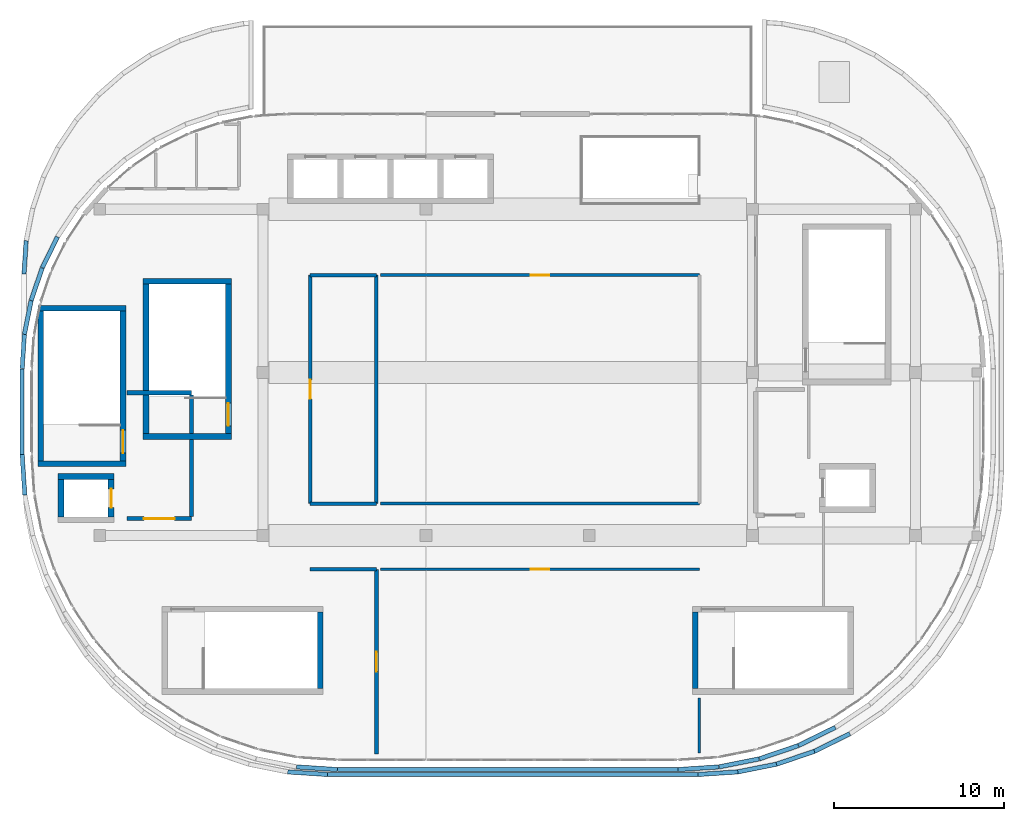
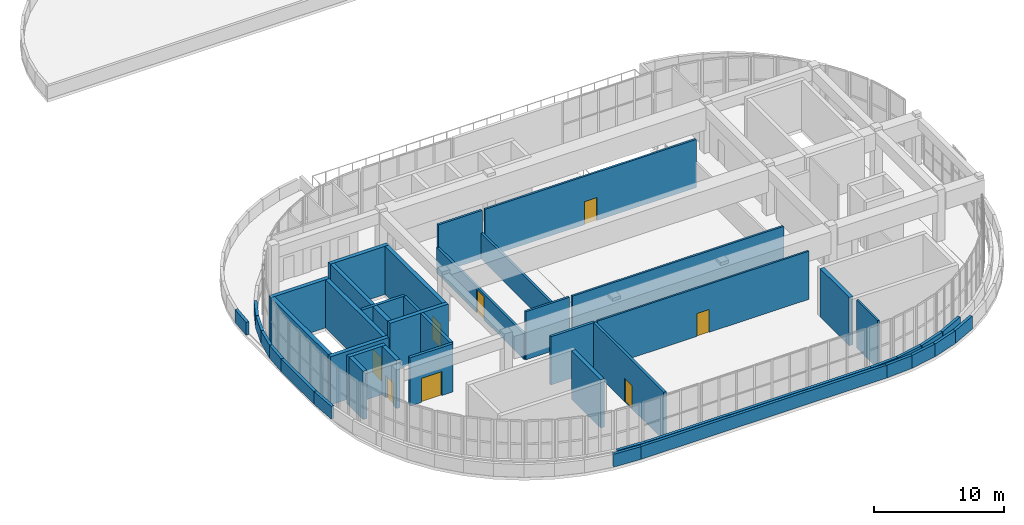
# One storey, part 17 of 23: 45 walls, 8 doors, 8 openings.
"""IFC4 building model written with IfcOpenShell, lengths in metres."""

from ifc_helpers import new_model, si_unit, direction, frame, frame_2d, origin, place, context, subcontext, project, spatial, rectangle, extrude, material, layer, layer_set, type_object, element, fill, save


model = new_model("IFC4")

# Units and contexts
model_context = context("Model", 3, precision=1e-05, world=origin(), true_north=direction((0.0, 1.0)))
body_context = subcontext(model_context, "Body", "Model", "MODEL_VIEW")
ifc_project = project(units=[si_unit("LENGTHUNIT", "METRE"), si_unit("AREAUNIT", "SQUARE_METRE"), si_unit("VOLUMEUNIT", "CUBIC_METRE"), si_unit("PLANEANGLEUNIT", "RADIAN"), si_unit("MASSUNIT", "GRAM", prefix="KILO")], contexts=[model_context])

# Site, building, storey
site_placement = place(None, origin())
site = spatial("IfcSite", under=ifc_project, at=site_placement, CompositionType="ELEMENT")
building_placement = place(site_placement, origin())
building = spatial("IfcBuilding", under=site, at=building_placement, Name="Cendralis Terraced Arcade", CompositionType="ELEMENT")
storey_placement = place(building_placement, frame((0.0, 0.0, 29.39990234375)))
storey = spatial("IfcBuildingStorey", under=building, at=storey_placement, Name="L06", CompositionType="ELEMENT", Elevation=29.39990234375)

# Walls
ifc_material_1 = material(Name="Gypsum plasterboard acoustic partition", Category="concrete")
ifc_layer_1 = layer(ifc_material_1, 0.195068359375, Name="WL-ACOU-195")
ifc_layer_set_1 = layer_set([ifc_layer_1], Name="Gypsum plasterboard acoustic partition")
wall_type_1 = type_object("IfcWallType", Name="WL-ACOU-195", PredefinedType="PARTITIONING", material=ifc_layer_set_1)
wall_1_placement = place(storey_placement, frame((21.97998046875, 34.52001953125, 0.0), z_axis=(0.0, 0.0, 1.0), x_axis=(1.0, 0.0, 0.0)))
element("IfcWall", 1, at=wall_1_placement, inside=storey, type_object=wall_type_1, Name="Interior Partition Wall IW-L06-0629", PredefinedType="PARTITIONING", context=body_context, shape_type="SweptSolid", body=[
    extrude(rectangle(XDim=3.89990234375, YDim=0.195068359375, at=frame_2d((1.949951171875, 0.0))), origin(), (0.0, 0.0, 1.0), 4.525146484375),
])
ifc_layer_2 = layer(ifc_material_1, 0.199951171875, Name="WL-ACOU-200")
ifc_layer_set_2 = layer_set([ifc_layer_2], Name="Gypsum plasterboard acoustic partition")
wall_type_2 = type_object("IfcWallType", Name="WL-ACOU-200", PredefinedType="PARTITIONING", material=ifc_layer_set_2)
wall_2_placement = place(storey_placement, frame((25.8798828125, 34.52001953125, 0.0), z_axis=(0.0, 0.0, 1.0), x_axis=(0.0, -1.0, 0.0)))
element("IfcWall", 2, at=wall_2_placement, inside=storey, type_object=wall_type_2, Name="Interior Partition Wall IW-L06-0628", PredefinedType="PARTITIONING", context=body_context, shape_type="SweptSolid", body=[
    extrude(rectangle(XDim=13.43994140625, YDim=0.199951171875, at=frame_2d((6.719970703125, 0.0))), origin(), (0.0, 0.0, 1.0), 2.4150390625),
])

# Wall, opening, door
ifc_layer_3 = layer(ifc_material_1, 0.205078125, Name="WL-ACOU-205")
ifc_layer_set_3 = layer_set([ifc_layer_3], Name="Gypsum plasterboard acoustic partition")
wall_type_3 = type_object("IfcWallType", Name="WL-ACOU-205", PredefinedType="PARTITIONING", material=ifc_layer_set_3)
wall_3_placement = place(storey_placement, frame((21.97998046875, 21.080078125, 0.0), z_axis=(0.0, 0.0, 1.0), x_axis=(0.0, 1.0, 0.0)))
wall_3 = element("IfcWall", 3, at=wall_3_placement, inside=storey, type_object=wall_type_3, Name="Interior Partition Wall IW-L06-0627", PredefinedType="PARTITIONING", context=body_context, shape_type="SweptSolid", body=[
    extrude(rectangle(XDim=13.43994140625, YDim=0.205078125, at=frame_2d((6.719970703125, 0.0))), origin(), (0.0, 0.0, 1.0), 2.4150390625),
])
opening_1_placement = place(wall_3_placement, frame((6.159912109375, 0.0, 0.0)))
opening_1 = element("IfcOpeningElement", 4, at=opening_1_placement, cuts=wall_3, Name="Opening D-L06-171", PredefinedType="OPENING", context=body_context, shape_type="SweptSolid", body=[
    extrude(rectangle(XDim=1.1201171875, YDim=2.179931640625, at=frame_2d((0.56005859375, 1.08984375))), frame((0.0, 0.114501953125, 0.0), z_axis=(0.0, -1.0, 0.0), x_axis=(1.0, 0.0, 0.0)), (0.0, 0.0, 1.0), 0.22900390625),
])
ifc_material_2 = material(Name="Solid core Andean oak veneer door leaf", Category="aluminium")
door_type_1 = type_object("IfcDoorType", Name="ID-RM-1120x2180", OperationType="NOTDEFINED", PredefinedType="DOOR", material=ifc_material_2)
door_1_placement = place(opening_1_placement, origin())
door_1 = element("IfcDoor", 5, at=door_1_placement, inside=storey, type_object=door_type_1, Name="Bridging Crown Panoramic Restaurant Door D-L06-171", OperationType="SINGLE_SWING_RIGHT", OverallHeight=2.179931640625, OverallWidth=1.1201171875, PredefinedType="DOOR", context=body_context, shape_type="SweptSolid", body=[
    extrude(rectangle(XDim=1.1201171875, YDim=2.179931640625, at=frame_2d((0.56005859375, 1.08984375))), frame((0.0, 0.02490234375, 0.0), z_axis=(0.0, -1.0, 0.0), x_axis=(1.0, 0.0, 0.0)), (0.0, 0.0, 1.0), 0.050048828125),
])
fill(opening_1, door_1)

# Wall
ifc_material_3 = material(Name="Autoclaved aerated concrete blockwork", Category="masonry")
ifc_layer_4 = layer(ifc_material_3, 0.221923828125, Name="WL-ACOU-222")
ifc_layer_set_4 = layer_set([ifc_layer_4], Name="Autoclaved aerated concrete blockwork")
wall_type_4 = type_object("IfcWallType", Name="WL-ACOU-222", PredefinedType="PARTITIONING", material=ifc_layer_set_4)
wall_4_placement = place(storey_placement, frame((21.97998046875, 17.219970703125, 0.0), z_axis=(0.0, 0.0, 1.0), x_axis=(1.0, 0.0, 0.0)))
element("IfcWall", 6, at=wall_4_placement, inside=storey, type_object=wall_type_4, Name="Interior Partition Wall IW-L06-0626", PredefinedType="PARTITIONING", context=body_context, shape_type="SweptSolid", body=[
    extrude(rectangle(XDim=3.89990234375, YDim=0.221923828125, at=frame_2d((1.949951171875, 0.0))), origin(), (0.0, 0.0, 1.0), 4.525146484375),
])

# Wall, opening, door
ifc_layer_5 = layer(ifc_material_3, 0.22802734375, Name="WL-ACOU-228")
ifc_layer_set_5 = layer_set([ifc_layer_5], Name="Autoclaved aerated concrete blockwork")
wall_type_5 = type_object("IfcWallType", Name="WL-ACOU-228", PredefinedType="PARTITIONING", material=ifc_layer_set_5)
wall_5_placement = place(storey_placement, frame((25.8798828125, 17.219970703125, 0.0), z_axis=(0.0, 0.0, 1.0), x_axis=(0.0, -1.0, 0.0)))
wall_5 = element("IfcWall", 7, at=wall_5_placement, inside=storey, type_object=wall_type_5, Name="Interior Partition Wall IW-L06-0625", PredefinedType="PARTITIONING", context=body_context, shape_type="SweptSolid", body=[
    extrude(rectangle(XDim=10.8798828125, YDim=0.22802734375, at=frame_2d((5.43994140625, 0.0))), origin(), (0.0, 0.0, 1.0), 4.525146484375),
])
opening_2_placement = place(wall_5_placement, frame((4.864990234375, 0.0, 0.0)))
opening_2 = element("IfcOpeningElement", 8, at=opening_2_placement, cuts=wall_5, Name="Opening D-L06-170", PredefinedType="OPENING", context=body_context, shape_type="SweptSolid", body=[
    extrude(rectangle(XDim=1.14990234375, YDim=2.199951171875, at=frame_2d((0.574951171875, 1.10009765625))), frame((0.0, 0.1259765625, 0.0), z_axis=(0.0, -1.0, 0.0), x_axis=(1.0, 0.0, 0.0)), (0.0, 0.0, 1.0), 0.251953125),
])
door_type_2 = type_object("IfcDoorType", Name="ID-RM-1150x2200", OperationType="NOTDEFINED", PredefinedType="DOOR", material=ifc_material_2)
door_2_placement = place(opening_2_placement, origin())
door_2 = element("IfcDoor", 9, at=door_2_placement, inside=storey, type_object=door_type_2, Name="Bridging Crown Panoramic Restaurant Door D-L06-170", OperationType="SINGLE_SWING_LEFT", OverallHeight=2.199951171875, OverallWidth=1.14990234375, PredefinedType="DOOR", context=body_context, shape_type="SweptSolid", body=[
    extrude(rectangle(XDim=1.14990234375, YDim=2.199951171875, at=frame_2d((0.574951171875, 1.10009765625))), frame((0.0, 0.02490234375, 0.0), z_axis=(0.0, -1.0, 0.0), x_axis=(1.0, 0.0, 0.0)), (0.0, 0.0, 1.0), 0.050048828125),
])
fill(opening_2, door_2)

# Walls
ifc_material_4 = material(Name="Concrete f'c 42 MPa", Category="concrete")
ifc_layer_6 = layer(ifc_material_4, 0.340087890625, Name="WL-CORE-340")
ifc_layer_set_6 = layer_set([ifc_layer_6], Name="Concrete f'c 42 MPa")
wall_type_6 = type_object("IfcWallType", Name="WL-CORE-340", PredefinedType="SHEAR", material=ifc_layer_set_6)
for number, where, z_axis, x_axis, name in (
    (10, (5.9599609375, 23.429931640625, 0.0), (0.0, 0.0, 1.0), (1.0, 0.0, 0.0), "Stair Core Reinforced Concrete Shear Wall SW-ST-01-L06-S"),
    (11, (5.9599609375, 32.570068359375, 0.0), (0.0, 0.0, 1.0), (1.0, 0.0, 0.0), "Stair Core Reinforced Concrete Shear Wall SW-ST-01-L06-N"),
):
    element("IfcWall", number, at=place(storey_placement, frame(where, z_axis=z_axis, x_axis=x_axis)), inside=storey, type_object=wall_type_6, Name=name, PredefinedType="SHEAR", context=body_context, shape_type="SweptSolid", body=[
        extrude(rectangle(XDim=5.179931640625, YDim=0.340087890625, at=frame_2d((2.58984375, 0.0))), origin(), (0.0, 0.0, 1.0), 4.525146484375),
    ])

# Wall, opening, door
wall_6_placement = place(storey_placement, frame((10.969970703125, 23.60009765625, 0.0), z_axis=(0.0, 0.0, 1.0), x_axis=(0.0, 1.0, 0.0)))
wall_6 = element("IfcWall", 12, at=wall_6_placement, inside=storey, type_object=wall_type_6, Name="Stair Core Reinforced Concrete Shear Wall SW-ST-01-L06-E", PredefinedType="SHEAR", context=body_context, shape_type="SweptSolid", body=[
    extrude(rectangle(XDim=8.7998046875, YDim=0.340087890625, at=frame_2d((4.39990234375, 0.0))), origin(), (0.0, 0.0, 1.0), 4.525146484375),
])
opening_3_placement = place(wall_6_placement, frame((0.449951171875, 0.0, 0.0)))
opening_3 = element("IfcOpeningElement", 13, at=opening_3_placement, cuts=wall_6, Name="Opening D-ST-01-L06", PredefinedType="OPENING", context=body_context, shape_type="SweptSolid", body=[
    extrude(rectangle(XDim=1.35009765625, YDim=2.199951171875, at=frame_2d((0.675048828125, 1.10009765625))), frame((0.0, 0.18212890625, 0.0), z_axis=(0.0, -1.0, 0.0), x_axis=(1.0, 0.0, 0.0)), (0.0, 0.0, 1.0), 0.364013671875),
])
ifc_material_5 = material(Name="Galvanised fire-rated steel door assembly", Category="steel")
door_type_3 = type_object("IfcDoorType", Name="ID-ST-1350x2200", OperationType="NOTDEFINED", PredefinedType="DOOR", material=ifc_material_5)
door_3_placement = place(opening_3_placement, origin())
door_3 = element("IfcDoor", 14, at=door_3_placement, inside=storey, type_object=door_type_3, Name="Protected Stair ST-01 Fire Door (L06)", OperationType="SINGLE_SWING_RIGHT", OverallHeight=2.199951171875, OverallWidth=1.35009765625, PredefinedType="DOOR", context=body_context, shape_type="SweptSolid", body=[
    extrude(rectangle(XDim=1.35009765625, YDim=2.199951171875, at=frame_2d((0.675048828125, 1.10009765625))), frame((0.0, 0.02490234375, 0.0), z_axis=(0.0, -1.0, 0.0), x_axis=(1.0, 0.0, 0.0)), (0.0, 0.0, 1.0), 0.050048828125),
])
fill(opening_3, door_3)

# Walls
wall_7_placement = place(storey_placement, frame((6.1298828125, 23.60009765625, 0.0), z_axis=(0.0, 0.0, 1.0), x_axis=(0.0, 1.0, 0.0)))
element("IfcWall", 15, at=wall_7_placement, inside=storey, type_object=wall_type_6, Name="Stair Core Reinforced Concrete Shear Wall SW-ST-01-L06-W", PredefinedType="SHEAR", context=body_context, shape_type="SweptSolid", body=[
    extrude(rectangle(XDim=8.7998046875, YDim=0.340087890625, at=frame_2d((4.39990234375, 0.0))), origin(), (0.0, 0.0, 1.0), 4.525146484375),
])
for number, where, z_axis, x_axis, name in (
    (16, (22.570068359375, 10.199951171875, 0.0), (0.0, 0.0, 1.0), (0.0, 1.0, 0.0), "Stair Core Reinforced Concrete Shear Wall SW-ST-02-L06-E"),
    (17, (44.6298828125, 10.199951171875, 0.0), (0.0, 0.0, 1.0), (0.0, 1.0, 0.0), "Stair Core Reinforced Concrete Shear Wall SW-ST-03-L06-W"),
):
    element("IfcWall", number, at=place(storey_placement, frame(where, z_axis=z_axis, x_axis=x_axis)), inside=storey, type_object=wall_type_6, Name=name, PredefinedType="SHEAR", context=body_context, shape_type="SweptSolid", body=[
        extrude(rectangle(XDim=4.5, YDim=0.340087890625, at=frame_2d((2.25, 0.0))), origin(), (0.0, 0.0, 1.0), 4.525146484375),
    ])
for number, where, z_axis, x_axis, name in (
    (18, (12.159912109375, 25.030029296875, 0.0), (0.0, 0.0, 1.0), (1.0, 0.0, 0.0), "Stair Core Reinforced Concrete Shear Wall SW-ST-05-L06-S"),
    (19, (12.159912109375, 34.169921875, 0.0), (0.0, 0.0, 1.0), (1.0, 0.0, 0.0), "Stair Core Reinforced Concrete Shear Wall SW-ST-05-L06-N"),
):
    element("IfcWall", number, at=place(storey_placement, frame(where, z_axis=z_axis, x_axis=x_axis)), inside=storey, type_object=wall_type_6, Name=name, PredefinedType="SHEAR", context=body_context, shape_type="SweptSolid", body=[
        extrude(rectangle(XDim=5.18017578125, YDim=0.340087890625, at=frame_2d((2.590087890625, 0.0))), origin(), (0.0, 0.0, 1.0), 4.525146484375),
    ])

# Wall, opening, door
wall_8_placement = place(storey_placement, frame((17.169921875, 25.199951171875, 0.0), z_axis=(0.0, 0.0, 1.0), x_axis=(0.0, 1.0, 0.0)))
wall_8 = element("IfcWall", 20, at=wall_8_placement, inside=storey, type_object=wall_type_6, Name="Stair Core Reinforced Concrete Shear Wall SW-ST-05-L06-E", PredefinedType="SHEAR", context=body_context, shape_type="SweptSolid", body=[
    extrude(rectangle(XDim=8.800048828125, YDim=0.340087890625, at=frame_2d((4.39990234375, 0.0))), origin(), (0.0, 0.0, 1.0), 4.525146484375),
])
opening_4_placement = place(wall_8_placement, frame((0.449951171875, 0.0, 0.0)))
opening_4 = element("IfcOpeningElement", 21, at=opening_4_placement, cuts=wall_8, Name="Opening D-ST-05-L06", PredefinedType="OPENING", context=body_context, shape_type="SweptSolid", body=[
    extrude(rectangle(XDim=1.35009765625, YDim=2.199951171875, at=frame_2d((0.675048828125, 1.10009765625))), frame((0.0, 0.18212890625, 0.0), z_axis=(0.0, -1.0, 0.0), x_axis=(1.0, 0.0, 0.0)), (0.0, 0.0, 1.0), 0.364013671875),
])
door_4_placement = place(opening_4_placement, origin())
door_4 = element("IfcDoor", 22, at=door_4_placement, inside=storey, type_object=door_type_3, Name="Protected Stair ST-05 Fire Door (L06)", OperationType="SINGLE_SWING_LEFT", OverallHeight=2.199951171875, OverallWidth=1.35009765625, PredefinedType="DOOR", context=body_context, shape_type="SweptSolid", body=[
    extrude(rectangle(XDim=1.35009765625, YDim=2.199951171875, at=frame_2d((0.675048828125, 1.10009765625))), frame((0.0, 0.02490234375, 0.0), z_axis=(0.0, -1.0, 0.0), x_axis=(1.0, 0.0, 0.0)), (0.0, 0.0, 1.0), 0.050048828125),
])
fill(opening_4, door_4)

# Walls
wall_9_placement = place(storey_placement, frame((12.330078125, 25.199951171875, 0.0), z_axis=(0.0, 0.0, 1.0), x_axis=(0.0, 1.0, 0.0)))
element("IfcWall", 23, at=wall_9_placement, inside=storey, type_object=wall_type_6, Name="Stair Core Reinforced Concrete Shear Wall SW-ST-05-L06-W", PredefinedType="SHEAR", context=body_context, shape_type="SweptSolid", body=[
    extrude(rectangle(XDim=8.800048828125, YDim=0.340087890625, at=frame_2d((4.39990234375, 0.0))), origin(), (0.0, 0.0, 1.0), 4.525146484375),
])
wall_10_placement = place(storey_placement, frame((7.159912109375, 22.669921875, 0.0), z_axis=(0.0, 0.0, 1.0), x_axis=(1.0, 0.0, 0.0)))
element("IfcWall", 24, at=wall_10_placement, inside=storey, type_object=wall_type_6, Name="Lift FFL-01 Reinforced Concrete Shaft Wall (L06)", PredefinedType="SHEAR", context=body_context, shape_type="SweptSolid", body=[
    extrude(rectangle(XDim=3.280029296875, YDim=0.340087890625, at=frame_2d((1.64013671875, 0.0))), origin(), (0.0, 0.0, 1.0), 4.525146484375),
])
wall_11_placement = place(storey_placement, frame((7.330078125, 20.300048828125, 0.0), z_axis=(0.0, 0.0, 1.0), x_axis=(0.0, 1.0, 0.0)))
element("IfcWall", 25, at=wall_11_placement, inside=storey, type_object=wall_type_6, Name="Lift FFL-01 Reinforced Concrete Shaft Wall (L06)", PredefinedType="SHEAR", context=body_context, shape_type="SweptSolid", body=[
    extrude(rectangle(XDim=2.199951171875, YDim=0.340087890625, at=frame_2d((1.10009765625, 0.0))), origin(), (0.0, 0.0, 1.0), 4.525146484375),
])

# Wall, opening, door
wall_12_placement = place(storey_placement, frame((10.27001953125, 20.300048828125, 0.0), z_axis=(0.0, 0.0, 1.0), x_axis=(0.0, 1.0, 0.0)))
wall_12 = element("IfcWall", 26, at=wall_12_placement, inside=storey, type_object=wall_type_6, Name="Lift FFL-01 Reinforced Concrete Shaft Wall (L06)", PredefinedType="SHEAR", context=body_context, shape_type="SweptSolid", body=[
    extrude(rectangle(XDim=2.199951171875, YDim=0.340087890625, at=frame_2d((1.10009765625, 0.0))), origin(), (0.0, 0.0, 1.0), 4.525146484375),
])
opening_5_placement = place(wall_12_placement, frame((0.550048828125, 0.0, 0.0)))
opening_5 = element("IfcOpeningElement", 27, at=opening_5_placement, cuts=wall_12, Name="Opening LD-FFL-01-L06", PredefinedType="OPENING", context=body_context, shape_type="SweptSolid", body=[
    extrude(rectangle(XDim=1.10009765625, YDim=2.14990234375, at=frame_2d((0.550048828125, 1.074951171875))), frame((0.0, 0.18212890625, 0.0), z_axis=(0.0, -1.0, 0.0), x_axis=(1.0, 0.0, 0.0)), (0.0, 0.0, 1.0), 0.364013671875),
])
ifc_material_6 = material(Name="Anodised aluminium sliding door assembly", Category="aluminium")
door_type_4 = type_object("IfcDoorType", Name="ID-LD-FF-1100x2150", OperationType="DOUBLE_DOOR_SLIDING", PredefinedType="DOOR", material=ifc_material_6)
door_5_placement = place(opening_5_placement, origin())
door_5 = element("IfcDoor", 28, at=door_5_placement, inside=storey, type_object=door_type_4, Name="Lift FFL-01 Sliding Landing Door (L06)", OperationType="DOUBLE_DOOR_SLIDING", OverallHeight=2.14990234375, OverallWidth=1.10009765625, PredefinedType="DOOR", context=body_context, shape_type="SweptSolid", body=[
    extrude(rectangle(XDim=1.10009765625, YDim=2.14990234375, at=frame_2d((0.550048828125, 1.074951171875))), frame((0.0, 0.02490234375, 0.0), z_axis=(0.0, -1.0, 0.0), x_axis=(1.0, 0.0, 0.0)), (0.0, 0.0, 1.0), 0.050048828125),
])
fill(opening_5, door_5)

ifc_layer_7 = layer(ifc_material_3, 0.25, Name="WL-FFL-250")
ifc_layer_set_7 = layer_set([ifc_layer_7], Name="Autoclaved aerated concrete blockwork")
wall_type_7 = type_object("IfcWallType", Name="WL-FFL-250", PredefinedType="PARTITIONING", material=ifc_layer_set_7)
wall_13_placement = place(storey_placement, frame((11.199951171875, 20.199951171875, 0.0), z_axis=(0.0, 0.0, 1.0), x_axis=(1.0, 0.0, 0.0)))
wall_13 = element("IfcWall", 29, at=wall_13_placement, inside=storey, type_object=wall_type_7, Name="Firefighting Lift Lobby FFL-01 Rated Wall S (L06)", PredefinedType="PARTITIONING", context=body_context, shape_type="SweptSolid", body=[
    extrude(rectangle(XDim=3.800048828125, YDim=0.25, at=frame_2d((1.89990234375, 0.0))), origin(), (0.0, 0.0, 1.0), 4.525146484375),
])
opening_6_placement = place(wall_13_placement, frame((1.0, 0.0, 0.0)))
opening_6 = element("IfcOpeningElement", 30, at=opening_6_placement, cuts=wall_13, Name="Opening D-FFL-01-L06-S", PredefinedType="OPENING", context=body_context, shape_type="SweptSolid", body=[
    extrude(rectangle(XDim=1.800048828125, YDim=2.25, at=frame_2d((0.89990234375, 1.125))), frame((0.0, 0.136962890625, 0.0), z_axis=(0.0, -1.0, 0.0), x_axis=(1.0, 0.0, 0.0)), (0.0, 0.0, 1.0), 0.27392578125),
])
door_type_5 = type_object("IfcDoorType", Name="ID-FFL-1800x2250", OperationType="DOUBLE_DOOR_SINGLE_SWING", PredefinedType="DOOR", material=ifc_material_5)
door_6_placement = place(opening_6_placement, origin())
door_6 = element("IfcDoor", 31, at=door_6_placement, inside=storey, type_object=door_type_5, Name="Firefighting Lift Lobby FFL-01 Rated Double Door (L06)", OperationType="DOUBLE_DOOR_SINGLE_SWING", OverallHeight=2.25, OverallWidth=1.800048828125, PredefinedType="DOOR", context=body_context, shape_type="SweptSolid", body=[
    extrude(rectangle(XDim=1.800048828125, YDim=2.25, at=frame_2d((0.89990234375, 1.125))), frame((0.0, 0.02490234375, 0.0), z_axis=(0.0, -1.0, 0.0), x_axis=(1.0, 0.0, 0.0)), (0.0, 0.0, 1.0), 0.050048828125),
])
fill(opening_6, door_6)

# Walls
wall_14_placement = place(storey_placement, frame((11.199951171875, 27.60009765625, 0.0), z_axis=(0.0, 0.0, 1.0), x_axis=(1.0, 0.0, 0.0)))
element("IfcWall", 32, at=wall_14_placement, inside=storey, type_object=wall_type_7, Name="Firefighting Lift Lobby FFL-01 Rated Wall N (L06)", PredefinedType="PARTITIONING", context=body_context, shape_type="SweptSolid", body=[
    extrude(rectangle(XDim=3.800048828125, YDim=0.25, at=frame_2d((1.89990234375, 0.0))), origin(), (0.0, 0.0, 1.0), 4.525146484375),
])
wall_15_placement = place(storey_placement, frame((15.0, 20.330078125, 0.0), z_axis=(0.0, 0.0, 1.0), x_axis=(0.0, 1.0, 0.0)))
element("IfcWall", 33, at=wall_15_placement, inside=storey, type_object=wall_type_7, Name="Firefighting Lift Lobby FFL-01 Rated Wall E (L06)", PredefinedType="PARTITIONING", context=body_context, shape_type="SweptSolid", body=[
    extrude(rectangle(XDim=7.139892578125, YDim=0.25, at=frame_2d((3.56982421875, 0.0))), origin(), (0.0, 0.0, 1.0), 4.525146484375),
])
ifc_material_7 = material(Name="Precast concrete f'c 40 MPa", Category="concrete")
ifc_layer_8 = layer(ifc_material_7, 0.25, Name="WL-PAR-250")
ifc_layer_set_8 = layer_set([ifc_layer_8], Name="Precast concrete f'c 40 MPa")
wall_type_8 = type_object("IfcWallType", Name="WL-PAR-250", PredefinedType="PARAPET", material=ifc_layer_set_8)
wall_16_placement = place(storey_placement, frame((7.114990234375, 36.774658203125, 0.0), z_axis=(0.0, 0.0, 1.0), x_axis=(-0.442268477568, -0.896882709026, 0.0)))
element("IfcWall", 34, at=wall_16_placement, inside=storey, type_object=wall_type_8, Name="Precast Concrete Roof Parapet Wall PAR-L06-455", PredefinedType="PARAPET", context=body_context, shape_type="SweptSolid", body=[
    extrude(rectangle(XDim=2.01708984375, YDim=0.25, at=frame_2d((1.008544921875, 0.0))), origin(), (0.0, 0.0, 1.0), 1.2001953125),
])
for number, where, z_axis, x_axis, name in (
    (35, (6.215576171875, 34.947998046875, 0.0), (0.0, 0.0, 1.0), (-0.321451389675, -0.946926081633, 0.0), "Precast Concrete Roof Parapet Wall PAR-L06-456"),
    (36, (5.562255859375, 33.01953125, 0.0), (0.0, 0.0, 1.0), (-0.195091972221, -0.980784952156, 0.0), "Precast Concrete Roof Parapet Wall PAR-L06-457"),
):
    element("IfcWall", number, at=place(storey_placement, frame(where, z_axis=z_axis, x_axis=x_axis)), inside=storey, type_object=wall_type_8, Name=name, PredefinedType="PARAPET", context=body_context, shape_type="SweptSolid", body=[
        extrude(rectangle(XDim=2.017333984375, YDim=0.25, at=frame_2d((1.0087890625, 0.0))), origin(), (0.0, 0.0, 1.0), 1.2001953125),
    ])
wall_17_placement = place(storey_placement, frame((5.166259765625, 31.022216796875, 0.0), z_axis=(0.0, 0.0, 1.0), x_axis=(-0.065321841332, -0.997864247804, 0.0)))
element("IfcWall", 37, at=wall_17_placement, inside=storey, type_object=wall_type_8, Name="Precast Concrete Roof Parapet Wall PAR-L06-458", PredefinedType="PARAPET", context=body_context, shape_type="SweptSolid", body=[
    extrude(rectangle(XDim=2.00341796875, YDim=0.25, at=frame_2d((1.001708984375, 0.0))), origin(), (0.0, 0.0, 1.0), 1.2001953125),
])
wall_18_placement = place(storey_placement, frame((5.034912109375, 29.013671875, 0.0), z_axis=(0.0, 0.0, 1.0), x_axis=(0.0, -1.0, 0.0)))
element("IfcWall", 38, at=wall_18_placement, inside=storey, type_object=wall_type_8, Name="Precast Concrete Roof Parapet Wall PAR-L06-459", PredefinedType="PARAPET", context=body_context, shape_type="SweptSolid", body=[
    extrude(rectangle(XDim=5.02734375, YDim=0.25, at=frame_2d((2.513671875, 0.0))), origin(), (0.0, 0.0, 1.0), 1.2001953125),
])
wall_19_placement = place(storey_placement, frame((5.035400390625, 23.976806640625, 0.0), z_axis=(0.0, 0.0, 1.0), x_axis=(0.065321791761, -0.997864251049, 0.0)))
element("IfcWall", 39, at=wall_19_placement, inside=storey, type_object=wall_type_8, Name="Precast Concrete Roof Parapet Wall PAR-L06-460", PredefinedType="PARAPET", context=body_context, shape_type="SweptSolid", body=[
    extrude(rectangle(XDim=2.395751953125, YDim=0.25, at=frame_2d((1.19775390625, 0.0))), origin(), (0.0, 0.0, 1.0), 1.2001953125),
])
wall_20_placement = place(storey_placement, frame((21.18603515625, 5.592041015625, 0.0), z_axis=(0.0, 0.0, 1.0), x_axis=(0.997858039573, -0.065416609967, 0.0)))
element("IfcWall", 40, at=wall_20_placement, inside=storey, type_object=wall_type_8, Name="Precast Concrete Roof Parapet Wall PAR-L06-471", PredefinedType="PARAPET", context=body_context, shape_type="SweptSolid", body=[
    extrude(rectangle(XDim=2.39599609375, YDim=0.25, at=frame_2d((1.197998046875, 0.0))), origin(), (0.0, 0.0, 1.0), 1.2001953125),
])
wall_21_placement = place(storey_placement, frame((23.586181640625, 5.43505859375, 0.0), z_axis=(0.0, 0.0, 1.0), x_axis=(1.0, 0.0, 0.0)))
element("IfcWall", 41, at=wall_21_placement, inside=storey, type_object=wall_type_8, Name="Precast Concrete Roof Parapet Wall PAR-L06-472", PredefinedType="PARAPET", context=body_context, shape_type="SweptSolid", body=[
    extrude(rectangle(XDim=20.027587890625, YDim=0.25, at=frame_2d((10.013671875, 0.0))), origin(), (0.0, 0.0, 1.0), 1.2001953125),
])
wall_22_placement = place(storey_placement, frame((43.623291015625, 5.435302734375, 0.0), z_axis=(0.0, 0.0, 1.0), x_axis=(0.997857603464, 0.065423261992, 0.0)))
element("IfcWall", 42, at=wall_22_placement, inside=storey, type_object=wall_type_8, Name="Precast Concrete Roof Parapet Wall PAR-L06-473", PredefinedType="PARAPET", context=body_context, shape_type="SweptSolid", body=[
    extrude(rectangle(XDim=2.395751953125, YDim=0.25, at=frame_2d((1.19775390625, 0.0))), origin(), (0.0, 0.0, 1.0), 1.2001953125),
])
for number, where, z_axis, x_axis, name in (
    (43, (46.03271484375, 5.594482421875, 0.0), (0.0, 0.0, 1.0), (0.980794424524, 0.195044345786, 0.0), "Precast Concrete Roof Parapet Wall PAR-L06-474"),
    (44, (48.414306640625, 6.0693359375, 0.0), (0.0, 0.0, 1.0), (0.946915927233, 0.321481300782, 0.0), "Precast Concrete Roof Parapet Wall PAR-L06-475"),
    (45, (50.71337890625, 6.851318359375, 0.0), (0.0, 0.0, 1.0), (0.896885735454, 0.442262340178, 0.0), "Precast Concrete Roof Parapet Wall PAR-L06-476"),
):
    element("IfcWall", number, at=place(storey_placement, frame(where, z_axis=z_axis, x_axis=x_axis)), inside=storey, type_object=wall_type_8, Name=name, PredefinedType="PARAPET", context=body_context, shape_type="SweptSolid", body=[
        extrude(rectangle(XDim=2.40966796875, YDim=0.25, at=frame_2d((1.204833984375, 0.0))), origin(), (0.0, 0.0, 1.0), 1.2001953125),
    ])
wall_23_placement = place(storey_placement, frame((53.73583984375, 7.54150390625, 0.0), z_axis=(0.0, 0.0, 1.0), x_axis=(-0.896881576615, -0.442270773993, 0.0)))
element("IfcWall", 46, at=wall_23_placement, inside=storey, type_object=wall_type_8, Name="Precast Concrete Roof Parapet Wall PAR-L06-519", PredefinedType="PARAPET", context=body_context, shape_type="SweptSolid", body=[
    extrude(rectangle(XDim=2.354248046875, YDim=0.25, at=frame_2d((1.17724609375, 0.0))), origin(), (0.0, 0.0, 1.0), 1.2001953125),
])
for number, where, z_axis, x_axis, name in (
    (47, (51.6416015625, 6.507568359375, 0.0), (0.0, 0.0, 1.0), (-0.94689528961, -0.321542082028, 0.0), "Precast Concrete Roof Parapet Wall PAR-L06-520"),
    (48, (49.430419921875, 5.755615234375, 0.0), (0.0, 0.0, 1.0), (-0.980775599092, -0.195138986943, 0.0), "Precast Concrete Roof Parapet Wall PAR-L06-521"),
    (49, (47.139892578125, 5.298583984375, 0.0), (0.0, 0.0, 1.0), (-0.997863825131, -0.065328297811, 0.0), "Precast Concrete Roof Parapet Wall PAR-L06-522"),
):
    element("IfcWall", number, at=place(storey_placement, frame(where, z_axis=z_axis, x_axis=x_axis)), inside=storey, type_object=wall_type_8, Name=name, PredefinedType="PARAPET", context=body_context, shape_type="SweptSolid", body=[
        extrude(rectangle(XDim=2.3544921875, YDim=0.25, at=frame_2d((1.17724609375, 0.0))), origin(), (0.0, 0.0, 1.0), 1.2001953125),
    ])
wall_24_placement = place(storey_placement, frame((44.800048828125, 5.14501953125, 0.0), z_axis=(0.0, 0.0, 1.0), x_axis=(-1.0, 0.0, 0.0)))
element("IfcWall", 50, at=wall_24_placement, inside=storey, type_object=wall_type_8, Name="Precast Concrete Roof Parapet Wall PAR-L06-523", PredefinedType="PARAPET", context=body_context, shape_type="SweptSolid", body=[
    extrude(rectangle(XDim=21.800048828125, YDim=0.25, at=frame_2d((10.89990234375, 0.0))), origin(), (0.0, 0.0, 1.0), 1.2001953125),
])
wall_25_placement = place(storey_placement, frame((23.009521484375, 5.144775390625, 0.0), z_axis=(0.0, 0.0, 1.0), x_axis=(-0.997864267614, 0.065321538715, 0.0)))
element("IfcWall", 51, at=wall_25_placement, inside=storey, type_object=wall_type_8, Name="Precast Concrete Roof Parapet Wall PAR-L06-524", PredefinedType="PARAPET", context=body_context, shape_type="SweptSolid", body=[
    extrude(rectangle(XDim=2.354736328125, YDim=0.25, at=frame_2d((1.17724609375, 0.0))), origin(), (0.0, 0.0, 1.0), 1.2001953125),
])
wall_26_placement = place(storey_placement, frame((5.144775390625, 34.590576171875, 0.0), z_axis=(0.0, 0.0, 1.0), x_axis=(0.065329649797, 0.997863736618, 0.0)))
element("IfcWall", 52, at=wall_26_placement, inside=storey, type_object=wall_type_8, Name="Precast Concrete Roof Parapet Wall PAR-L06-537", PredefinedType="PARAPET", context=body_context, shape_type="SweptSolid", body=[
    extrude(rectangle(XDim=1.9619140625, YDim=0.25, at=frame_2d((0.98095703125, 0.0))), origin(), (0.0, 0.0, 1.0), 1.2001953125),
])
ifc_layer_9 = layer(ifc_material_1, 0.154052734375, Name="WL-PART-154")
ifc_layer_set_9 = layer_set([ifc_layer_9], Name="Gypsum plasterboard acoustic partition")
wall_type_9 = type_object("IfcWallType", Name="WL-PART-154", PredefinedType="PARTITIONING", material=ifc_layer_set_9)
wall_27_placement = place(storey_placement, frame((44.8798828125, 9.659912109375, 0.0), z_axis=(0.0, 0.0, 1.0), x_axis=(0.0, -1.0, 0.0)))
element("IfcWall", 53, at=wall_27_placement, inside=storey, type_object=wall_type_9, Name="Interior Partition Wall IW-L06-0635", PredefinedType="PARTITIONING", context=body_context, shape_type="SweptSolid", body=[
    extrude(rectangle(XDim=3.2353515625, YDim=0.154052734375, at=frame_2d((1.61767578125, 0.0))), origin(), (0.0, 0.0, 1.0), 4.525146484375),
])

# Wall, opening, door
ifc_layer_10 = layer(ifc_material_1, 0.159912109375, Name="WL-PART-160")
ifc_layer_set_10 = layer_set([ifc_layer_10], Name="Gypsum plasterboard acoustic partition")
wall_type_10 = type_object("IfcWallType", Name="WL-PART-160", PredefinedType="PARTITIONING", material=ifc_layer_set_10)
wall_28_placement = place(storey_placement, frame((26.1201171875, 17.219970703125, 0.0), z_axis=(0.0, 0.0, 1.0), x_axis=(1.0, 0.0, 0.0)))
wall_28 = element("IfcWall", 54, at=wall_28_placement, inside=storey, type_object=wall_type_10, Name="Interior Partition Wall IW-L06-0634", PredefinedType="PARTITIONING", context=body_context, shape_type="SweptSolid", body=[
    extrude(rectangle(XDim=18.759765625, YDim=0.159912109375, at=frame_2d((9.3798828125, 0.0))), origin(), (0.0, 0.0, 1.0), 4.525146484375),
])
opening_7_placement = place(wall_28_placement, frame((8.840087890625, 0.0, 0.0)))
opening_7 = element("IfcOpeningElement", 55, at=opening_7_placement, cuts=wall_28, Name="Opening D-L06-173", PredefinedType="OPENING", context=body_context, shape_type="SweptSolid", body=[
    extrude(rectangle(XDim=1.080078125, YDim=2.139892578125, at=frame_2d((0.5400390625, 1.06982421875))), frame((0.0, 0.091796875, 0.0), z_axis=(0.0, -1.0, 0.0), x_axis=(1.0, 0.0, 0.0)), (0.0, 0.0, 1.0), 0.183837890625),
])
door_type_6 = type_object("IfcDoorType", Name="ID-RM-1080x2140", OperationType="NOTDEFINED", PredefinedType="DOOR", material=ifc_material_2)
door_7_placement = place(opening_7_placement, origin())
door_7 = element("IfcDoor", 56, at=door_7_placement, inside=storey, type_object=door_type_6, Name="Crown Design Exhibition Salon Door D-L06-173", OperationType="SINGLE_SWING_RIGHT", OverallHeight=2.139892578125, OverallWidth=1.080078125, PredefinedType="DOOR", context=body_context, shape_type="SweptSolid", body=[
    extrude(rectangle(XDim=1.080078125, YDim=2.139892578125, at=frame_2d((0.5400390625, 1.06982421875))), frame((0.0, 0.02490234375, 0.0), z_axis=(0.0, -1.0, 0.0), x_axis=(1.0, 0.0, 0.0)), (0.0, 0.0, 1.0), 0.050048828125),
])
fill(opening_7, door_7)

# Wall
ifc_layer_11 = layer(ifc_material_1, 0.175048828125, Name="WL-PART-175")
ifc_layer_set_11 = layer_set([ifc_layer_11], Name="Gypsum plasterboard acoustic partition")
wall_type_11 = type_object("IfcWallType", Name="WL-PART-175", PredefinedType="PARTITIONING", material=ifc_layer_set_11)
wall_29_placement = place(storey_placement, frame((44.8798828125, 21.080078125, 0.0), z_axis=(0.0, 0.0, 1.0), x_axis=(-1.0, 0.0, 0.0)))
element("IfcWall", 57, at=wall_29_placement, inside=storey, type_object=wall_type_11, Name="Interior Partition Wall IW-L06-0632", PredefinedType="PARTITIONING", context=body_context, shape_type="SweptSolid", body=[
    extrude(rectangle(XDim=18.759765625, YDim=0.175048828125, at=frame_2d((9.3798828125, 0.0))), origin(), (0.0, 0.0, 1.0), 4.525146484375),
])

# Wall, opening, door
ifc_layer_12 = layer(ifc_material_1, 0.179931640625, Name="WL-PART-180")
ifc_layer_set_12 = layer_set([ifc_layer_12], Name="Gypsum plasterboard acoustic partition")
wall_type_12 = type_object("IfcWallType", Name="WL-PART-180", PredefinedType="PARTITIONING", material=ifc_layer_set_12)
wall_30_placement = place(storey_placement, frame((26.1201171875, 34.52001953125, 0.0), z_axis=(0.0, 0.0, 1.0), x_axis=(1.0, 0.0, 0.0)))
wall_30 = element("IfcWall", 58, at=wall_30_placement, inside=storey, type_object=wall_type_12, Name="Interior Partition Wall IW-L06-0631", PredefinedType="PARTITIONING", context=body_context, shape_type="SweptSolid", body=[
    extrude(rectangle(XDim=18.759765625, YDim=0.179931640625, at=frame_2d((9.3798828125, 0.0))), origin(), (0.0, 0.0, 1.0), 4.525146484375),
])
opening_8_placement = place(wall_30_placement, frame((8.830078125, 0.0, 0.0)))
opening_8 = element("IfcOpeningElement", 59, at=opening_8_placement, cuts=wall_30, Name="Opening D-L06-172", PredefinedType="OPENING", context=body_context, shape_type="SweptSolid", body=[
    extrude(rectangle(XDim=1.10009765625, YDim=2.14990234375, at=frame_2d((0.550048828125, 1.074951171875))), frame((0.0, 0.10205078125, 0.0), z_axis=(0.0, -1.0, 0.0), x_axis=(1.0, 0.0, 0.0)), (0.0, 0.0, 1.0), 0.203857421875),
])
door_type_7 = type_object("IfcDoorType", Name="ID-RM-1100x2150", OperationType="NOTDEFINED", PredefinedType="DOOR", material=ifc_material_2)
door_8_placement = place(opening_8_placement, origin())
door_8 = element("IfcDoor", 60, at=door_8_placement, inside=storey, type_object=door_type_7, Name="Crown Design Exhibition Salon Door D-L06-172", OperationType="SINGLE_SWING_LEFT", OverallHeight=2.14990234375, OverallWidth=1.10009765625, PredefinedType="DOOR", context=body_context, shape_type="SweptSolid", body=[
    extrude(rectangle(XDim=1.10009765625, YDim=2.14990234375, at=frame_2d((0.550048828125, 1.074951171875))), frame((0.0, 0.02490234375, 0.0), z_axis=(0.0, -1.0, 0.0), x_axis=(1.0, 0.0, 0.0)), (0.0, 0.0, 1.0), 0.050048828125),
])
fill(opening_8, door_8)

# Wall
ifc_layer_13 = layer(ifc_material_1, 0.18994140625, Name="WL-PART-190")
ifc_layer_set_13 = layer_set([ifc_layer_13], Name="Gypsum plasterboard acoustic partition")
wall_type_13 = type_object("IfcWallType", Name="WL-PART-190", PredefinedType="PARTITIONING", material=ifc_layer_set_13)
wall_31_placement = place(storey_placement, frame((25.8798828125, 21.080078125, 0.0), z_axis=(0.0, 0.0, 1.0), x_axis=(-1.0, 0.0, 0.0)))
element("IfcWall", 61, at=wall_31_placement, inside=storey, type_object=wall_type_13, Name="Interior Partition Wall IW-L06-0630", PredefinedType="PARTITIONING", context=body_context, shape_type="SweptSolid", body=[
    extrude(rectangle(XDim=3.89990234375, YDim=0.18994140625, at=frame_2d((1.949951171875, 0.0))), origin(), (0.0, 0.0, 1.0), 4.525146484375),
])

save(model, "model.ifc")
